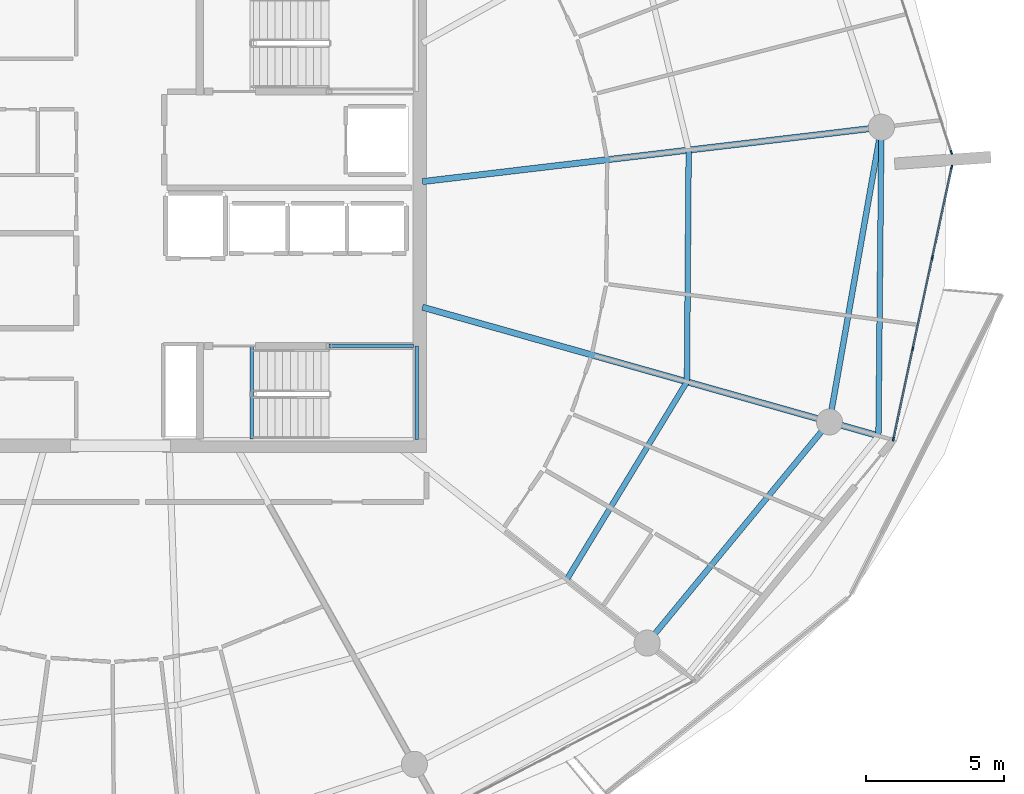
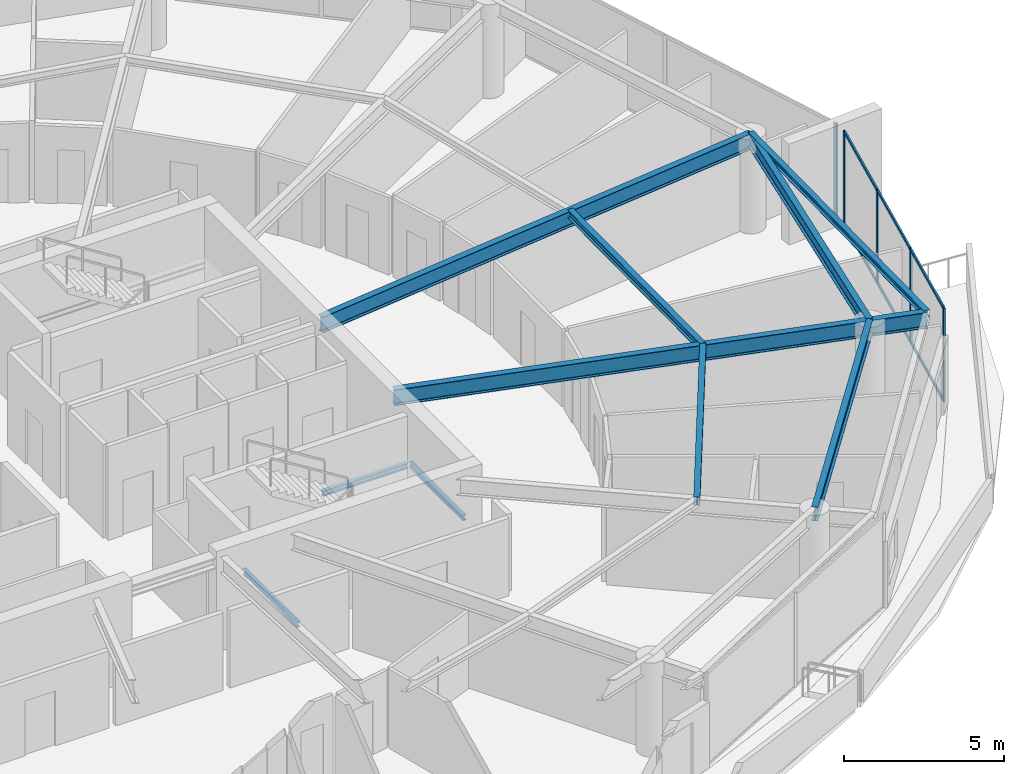
# One storey, part 11 of 30: 11 members, 10 beams, 2 elements without a shape of their own.
"""IFC4 building model written with IfcOpenShell, lengths in metres."""

import ifcopenshell
import ifcopenshell.guid

model = None  # the IFC model being written
_history = None  # IfcOwnerHistory: only IFC2X3 demands one
_inside = {}  # id of a spatial element -> (the spatial element, [elements in it])
_under = {}  # id of a project, library or spatial element -> (it, [spatial elements below it])
_declared = {}  # id of a project -> (the project, [libraries it declares])
_typed = {}  # id of a type object -> (the type object, [elements of that type])
_made_of = {}  # id of a material, layer set ... -> (it, [elements and type objects made of it])


def new_model(schema):
    """Start an empty IFC model of exactly this schema.

    Asked for "IFC4X3", IfcOpenShell would pick the latest addendum, in which some entities
    have other attributes; the version numbers below select the first issue.
    IFC2X3 requires an IfcOwnerHistory on every rooted entity: one is made here for all.
    """
    global model, _history
    if schema == "IFC4X3":
        model = ifcopenshell.file(schema_version=(4, 3, 0, 0))
    else:
        model = ifcopenshell.file(schema=schema)
    _inside.clear()
    _under.clear()
    _declared.clear()
    _typed.clear()
    _made_of.clear()
    _history = None
    if model.schema == "IFC2X3":
        org = make("IfcOrganization", Name="unknown")
        user = make(
            "IfcPersonAndOrganization",
            ThePerson=make("IfcPerson", FamilyName="unknown"),
            TheOrganization=org,
        )
        app = make(
            "IfcApplication",
            ApplicationDeveloper=org,
            Version="unknown",
            ApplicationFullName="unknown",
            ApplicationIdentifier="unknown",
        )
        _history = make(
            "IfcOwnerHistory",
            OwningUser=user,
            OwningApplication=app,
            ChangeAction="ADDED",
            CreationDate=0,
        )
    return model


def make(cls, **values):
    """One entity of the class cls with the attributes given. An attribute that is None is left unset."""
    return model.create_entity(
        cls, **{name: value for name, value in values.items() if value is not None}
    )


def rooted(cls, **values):
    """An entity with a GlobalId (a new one), such as an element, a storey or a relation."""
    return make(cls, GlobalId=ifcopenshell.guid.new(), OwnerHistory=_history, **values)


def si_unit(unit_type, name, prefix=None):
    """IfcSIUnit, for example si_unit("LENGTHUNIT", "METRE", prefix="MILLI")."""
    return make("IfcSIUnit", UnitType=unit_type, Prefix=prefix, Name=name)


def assignment(units):
    """IfcUnitAssignment: the units of a project."""
    return None if units is None else make("IfcUnitAssignment", Units=units)


def point(xyz):
    """IfcCartesianPoint."""
    return None if xyz is None else make("IfcCartesianPoint", Coordinates=xyz)


def direction(xyz):
    """IfcDirection."""
    return None if xyz is None else make("IfcDirection", DirectionRatios=xyz)


def frame(location, z_axis=None, x_axis=None):
    """IfcAxis2Placement3D, a coordinate frame: its origin and axes. An axis left out is left unset."""
    return make(
        "IfcAxis2Placement3D",
        Location=point(location),
        Axis=direction(z_axis),
        RefDirection=direction(x_axis),
    )


def frame_2d(location, x_axis=None):
    """IfcAxis2Placement2D, a coordinate frame in the plane: its origin and x axis."""
    return make(
        "IfcAxis2Placement2D", Location=point(location), RefDirection=direction(x_axis)
    )


def origin():
    """The frame at (0, 0, 0) with its axes left unset."""
    return frame((0.0, 0.0, 0.0))


def origin_2d():
    """The frame at (0, 0) in the plane with its x axis left unset."""
    return frame_2d((0.0, 0.0))


def place(relative_to, where):
    """IfcLocalPlacement: puts the frame where relative to a parent placement (None: the world)."""
    return make(
        "IfcLocalPlacement", PlacementRelTo=relative_to, RelativePlacement=where
    )


def context(
    kind, dimensions, precision=None, world=None, true_north=None, identifier=None
):
    """IfcGeometricRepresentationContext, for example the 3D "Model" context."""
    return make(
        "IfcGeometricRepresentationContext",
        ContextIdentifier=identifier,
        ContextType=kind,
        CoordinateSpaceDimension=dimensions,
        Precision=precision,
        WorldCoordinateSystem=world,
        TrueNorth=true_north,
    )


def subcontext(parent, identifier, kind, view, scale=None):
    """IfcGeometricRepresentationSubContext, for example "Body" below "Model"."""
    return make(
        "IfcGeometricRepresentationSubContext",
        ContextIdentifier=identifier,
        ContextType=kind,
        ParentContext=parent,
        TargetScale=scale,
        TargetView=view,
    )


def project(units=None, contexts=None):
    """IfcProject with its units and contexts."""
    return rooted(
        "IfcProject",
        Name="project",
        RepresentationContexts=contexts,
        UnitsInContext=assignment(units),
    )


def spatial(cls, under=None, at=None, **own):
    """A site, building, storey or space (cls), placed at a placement, below another one or the project."""
    s = rooted(cls, ObjectPlacement=at, **own)
    if under is not None:
        _under.setdefault(under.id(), (under, []))[1].append(s)
    return s


def profile(cls, at=None, kind="AREA", **sizes):
    """A parametric profile (cls). Its sizes go by their IFC names, for example OverallWidth=200.0."""
    return make(cls, ProfileType=kind, Position=at, **sizes)


def rectangle(**sizes):
    """IfcRectangleProfileDef."""
    return profile("IfcRectangleProfileDef", **sizes)


def i_section(**sizes):
    """IfcIShapeProfileDef."""
    return profile("IfcIShapeProfileDef", **sizes)


def extrude(swept, where, along, depth):
    """IfcExtrudedAreaSolid: the profile swept, set in the frame where, extruded along a direction by depth."""
    return make(
        "IfcExtrudedAreaSolid",
        SweptArea=swept,
        Position=where,
        ExtrudedDirection=direction(along),
        Depth=depth,
    )


def shape(context_of_items, identifier, shape_type, items):
    """IfcShapeRepresentation: the items that make up one representation, for example the "Body"."""
    return make(
        "IfcShapeRepresentation",
        ContextOfItems=context_of_items,
        RepresentationIdentifier=identifier,
        RepresentationType=shape_type,
        Items=items,
    )


def material(Name=None, Category=None):
    """IfcMaterial."""
    return make("IfcMaterial", Name=Name, Category=Category)


def layer(
    of_material, thickness, ventilated=None, Name=None, Category=None, Priority=None
):
    """IfcMaterialLayer: one layer of a wall or slab, of a material (None: an air gap)."""
    return make(
        "IfcMaterialLayer",
        Material=of_material,
        LayerThickness=thickness,
        IsVentilated=ventilated,
        Name=Name,
        Category=Category,
        Priority=Priority,
    )


def layer_set(layers, Name=None):
    """IfcMaterialLayerSet."""
    return make("IfcMaterialLayerSet", MaterialLayers=layers, LayerSetName=Name)


def material_profile(
    of_material, cross_section, Name=None, Category=None, Priority=None
):
    """IfcMaterialProfile: a cross section and its material."""
    return make(
        "IfcMaterialProfile",
        Name=Name,
        Material=of_material,
        Profile=cross_section,
        Priority=Priority,
        Category=Category,
    )


def profile_set(profiles, Name=None, composite=None):
    """IfcMaterialProfileSet."""
    return make(
        "IfcMaterialProfileSet",
        Name=Name,
        MaterialProfiles=profiles,
        CompositeProfile=composite,
    )


def made_of(thing, what):
    """Note that an element or type object is made of a material, layer set ...; save() writes the relation."""
    if what is not None:
        _made_of.setdefault(what.id(), (what, []))[1].append(thing)
    return thing


def type_object(cls, material=None, **own):
    """A type object (cls), such as IfcWallType, which elements share."""
    return made_of(rooted(cls, **own), material)


def element(
    cls,
    number,
    at=None,
    inside=None,
    cuts=None,
    type_object=None,
    material=None,
    context=None,
    identifier="Body",
    shape_type=None,
    held_by="IfcProductDefinitionShape",
    body=None,
    shapes=None,
    **own,
):
    """One element of the class cls, such as IfcWall. Its Tag is "e" and its number.

    at: its placement. inside: the storey or other place that contains it. cuts: it is an
    opening in that element (IfcRelVoidsElement). A single representation is given by context,
    identifier, shape_type and body (its items); several are given by shapes. held_by: the class
    of the entity that holds the representations. save() writes the other relations.
    """
    e = rooted(cls, Tag="e%d" % number, ObjectPlacement=at, **own)
    if body is not None:
        shapes = [shape(context, identifier, shape_type, body)]
    if shapes is not None:
        e.Representation = make(held_by, Representations=shapes)
    if inside is not None:
        _inside.setdefault(inside.id(), (inside, []))[1].append(e)
    if cuts is not None:
        rooted(
            "IfcRelVoidsElement", RelatingBuildingElement=cuts, RelatedOpeningElement=e
        )
    if type_object is not None:
        _typed.setdefault(type_object.id(), (type_object, []))[1].append(e)
    return made_of(e, material)


def aggregate(whole, parts):
    """IfcRelAggregates: a whole, such as a stair, and the parts it consists of."""
    return rooted("IfcRelAggregates", RelatingObject=whole, RelatedObjects=parts)


def save(model, path):
    """Write the relations noted so far, then the file.

    IfcRelAggregates (storeys below a building ...), IfcRelContainedInSpatialStructure (elements
    in a storey), IfcRelDefinesByType, IfcRelAssociatesMaterial and IfcRelDeclares: one each for
    every whole, place, type object, material and project.
    """
    for whole, parts in _under.values():
        aggregate(whole, parts)
    for where, things in _inside.values():
        rooted(
            "IfcRelContainedInSpatialStructure",
            RelatedElements=things,
            RelatingStructure=where,
        )
    for kind, things in _typed.values():
        rooted("IfcRelDefinesByType", RelatedObjects=things, RelatingType=kind)
    for what, things in _made_of.values():
        rooted("IfcRelAssociatesMaterial", RelatedObjects=things, RelatingMaterial=what)
    for by, libraries in _declared.values():
        rooted("IfcRelDeclares", RelatingContext=by, RelatedDefinitions=libraries)
    model.write(path)


model = new_model("IFC4")

# Units and contexts
model_context = context("Model", 3, precision=1e-05, world=origin(), true_north=direction((0.0, 1.0)))
body_context = subcontext(model_context, "Body", "Model", "MODEL_VIEW")
ifc_project = project(units=[si_unit("LENGTHUNIT", "METRE"), si_unit("AREAUNIT", "SQUARE_METRE"), si_unit("VOLUMEUNIT", "CUBIC_METRE"), si_unit("PLANEANGLEUNIT", "RADIAN"), si_unit("MASSUNIT", "GRAM", prefix="KILO")], contexts=[model_context])

# Site, building, storey
site_placement = place(None, origin())
site = spatial("IfcSite", under=ifc_project, at=site_placement, CompositionType="ELEMENT")
building_placement = place(site_placement, origin())
building = spatial("IfcBuilding", under=site, at=building_placement, Name="Kazma Halo Residences", CompositionType="ELEMENT")
storey_placement = place(building_placement, frame((0.0, 0.0, 298.300048828125)))
storey = spatial("IfcBuildingStorey", under=building, at=storey_placement, Name="L75", CompositionType="ELEMENT", Elevation=298.300048828125)

# Beams
ifc_material_1 = material(Name="Steel S355", Category="steel")
ifc_material_profile_1 = material_profile(ifc_material_1, i_section(OverallWidth=0.201904296875, OverallDepth=0.2470703125, WebThickness=0.00732421875, FlangeThickness=0.010986328125, FilletRadius=0.011962890625, at=origin_2d()), Name="W250x49.1")
ifc_profile_set_1 = profile_set([ifc_material_profile_1], Name="Steel S355")
beam_type_1 = type_object("IfcBeamType", Name="BM-BAL-CANT", PredefinedType="BEAM", material=ifc_profile_set_1)
beam_1_placement = place(storey_placement, frame((75.971435546875, 34.111083984375, 3.466552734375), z_axis=(0.009645503464, 0.999953481049, 0.0), x_axis=(-0.999953481049, 0.009645503464, 0.0)))
element("IfcBeam", 1, at=beam_1_placement, inside=storey, type_object=beam_type_1, Name="L75 wave-balcony tie beam 15", PredefinedType="BEAM", context=body_context, shape_type="SweptSolid", body=[
    extrude(i_section(OverallWidth=0.201904296875, OverallDepth=0.2470703125, WebThickness=0.00732421875, FlangeThickness=0.010986328125, FilletRadius=0.011962890625, at=origin_2d()), origin(), (0.0, 0.0, 1.0), 11.212890625),
])
ifc_material_profile_2 = material_profile(ifc_material_1, i_section(OverallWidth=0.22802734375, OverallDepth=0.60791015625, WebThickness=0.01123046875, FlangeThickness=0.017333984375, FilletRadius=0.01806640625, at=origin_2d()), Name="W610x113")
ifc_profile_set_2 = profile_set([ifc_material_profile_2], Name="Steel S355")
beam_type_2 = type_object("IfcBeamType", Name="BM-RAD-W610", PredefinedType="BEAM", material=ifc_profile_set_2)
beam_2_placement = place(storey_placement, frame((59.39990234375, 38.784912109375, 3.285888671875), z_axis=(0.962452620609, -0.271449724781, 0.0), x_axis=(0.271449724781, 0.962452620609, 0.0)))
element("IfcBeam", 2, at=beam_2_placement, inside=storey, type_object=beam_type_2, Name="L75 radial floor beam 15", PredefinedType="BEAM", context=body_context, shape_type="SweptSolid", body=[
    extrude(i_section(OverallWidth=0.22802734375, OverallDepth=0.60791015625, WebThickness=0.01123046875, FlangeThickness=0.017333984375, FilletRadius=0.01806640625, at=origin_2d()), origin(), (0.0, 0.0, 1.0), 17.218017578125),
])
beam_3_placement = place(storey_placement, frame((59.39990234375, 43.349365234375, 3.285888671875), z_axis=(0.993068804541, 0.117534460678, 0.0), x_axis=(-0.117534460678, 0.993068804541, 0.0)))
element("IfcBeam", 3, at=beam_3_placement, inside=storey, type_object=beam_type_2, Name="L75 radial floor beam 16", PredefinedType="BEAM", context=body_context, shape_type="SweptSolid", body=[
    extrude(i_section(OverallWidth=0.22802734375, OverallDepth=0.60791015625, WebThickness=0.01123046875, FlangeThickness=0.017333984375, FilletRadius=0.01806640625, at=origin_2d()), origin(), (0.0, 0.0, 1.0), 16.796142578125),
])
ifc_material_profile_3 = material_profile(ifc_material_1, i_section(OverallWidth=0.202880859375, OverallDepth=0.302978515625, WebThickness=0.007568359375, FlangeThickness=0.01318359375, FilletRadius=0.013916015625, at=origin_2d()), Name="W310x60")
ifc_profile_set_3 = profile_set([ifc_material_profile_3], Name="Steel S355")
beam_type_3 = type_object("IfcBeamType", Name="BM-SEC-W310A", PredefinedType="JOIST", material=ifc_profile_set_3)
beam_4_placement = place(storey_placement, frame((64.6396484375, 28.88232421875, 3.4384765625), z_axis=(0.519439801751, 0.854507046406, 0.0), x_axis=(-0.854507046406, 0.519439801751, 0.0)))
element("IfcBeam", 4, at=beam_4_placement, inside=storey, type_object=beam_type_3, Name="L75 circumferential floor joist 14", PredefinedType="JOIST", context=body_context, shape_type="SweptSolid", body=[
    extrude(i_section(OverallWidth=0.202880859375, OverallDepth=0.302978515625, WebThickness=0.007568359375, FlangeThickness=0.01318359375, FilletRadius=0.013916015625, at=origin_2d()), origin(), (0.0, 0.0, 1.0), 8.41650390625),
])
beam_5_placement = place(storey_placement, frame((69.011474609375, 36.07421875, 3.4384765625), z_axis=(0.007451444375, 0.999972237603, 0.0), x_axis=(-0.999972237603, 0.007451444375, 0.0)))
element("IfcBeam", 5, at=beam_5_placement, inside=storey, type_object=beam_type_3, Name="L75 circumferential floor joist 15", PredefinedType="JOIST", context=body_context, shape_type="SweptSolid", body=[
    extrude(i_section(OverallWidth=0.202880859375, OverallDepth=0.302978515625, WebThickness=0.007568359375, FlangeThickness=0.01318359375, FilletRadius=0.013916015625, at=origin_2d()), origin(), (0.0, 0.0, 1.0), 8.42041015625),
])
ifc_material_profile_4 = material_profile(ifc_material_1, i_section(OverallWidth=0.208984375, OverallDepth=0.532958984375, WebThickness=0.01025390625, FlangeThickness=0.015625, FilletRadius=0.01611328125, at=origin_2d()), Name="W530x92")
ifc_profile_set_4 = profile_set([ifc_material_profile_4], Name="Steel S355")
beam_type_4 = type_object("IfcBeamType", Name="BM-SPN-W530", PredefinedType="BEAM", material=ifc_profile_set_4)
beam_6_placement = place(storey_placement, frame((67.566162109375, 26.5751953125, 3.323486328125), z_axis=(0.636002144225, 0.771687289348, 0.0), x_axis=(-0.771687289348, 0.636002144225, 0.0)))
element("IfcBeam", 6, at=beam_6_placement, inside=storey, type_object=beam_type_4, Name="L75 perimeter ring beam 14", PredefinedType="BEAM", context=body_context, shape_type="SweptSolid", body=[
    extrude(i_section(OverallWidth=0.208984375, OverallDepth=0.532958984375, WebThickness=0.01025390625, FlangeThickness=0.015625, FilletRadius=0.01611328125, at=origin_2d()), origin(), (0.0, 0.0, 1.0), 10.416259765625),
])
beam_7_placement = place(storey_placement, frame((74.19091796875, 34.61328125, 3.323486328125), z_axis=(0.173663672311, 0.984805020763, 0.0), x_axis=(-0.984805020763, 0.173663672311, 0.0)))
element("IfcBeam", 7, at=beam_7_placement, inside=storey, type_object=beam_type_4, Name="L75 perimeter ring beam 15", PredefinedType="BEAM", context=body_context, shape_type="SweptSolid", body=[
    extrude(i_section(OverallWidth=0.208984375, OverallDepth=0.532958984375, WebThickness=0.01025390625, FlangeThickness=0.015625, FilletRadius=0.01611328125, at=origin_2d()), origin(), (0.0, 0.0, 1.0), 10.87548828125),
])
ifc_material_profile_5 = material_profile(ifc_material_1, i_section(OverallWidth=0.133056640625, OverallDepth=0.20703125, WebThickness=0.005859375, FlangeThickness=0.00830078125, FilletRadius=0.010009765625, at=origin_2d()), Name="W200x26.6")
ifc_profile_set_5 = profile_set([ifc_material_profile_5], Name="Steel S355")
beam_type_5 = type_object("IfcBeamType", Name="BM-TRIM-W200", PredefinedType="BEAM", material=ifc_profile_set_5)
beam_8_placement = place(storey_placement, frame((53.199951171875, 34.0, -0.3701171875), z_axis=(0.0, 1.0, 0.0), x_axis=(-1.0, 0.0, 0.0)))
element("IfcBeam", 8, at=beam_8_placement, inside=storey, type_object=beam_type_5, Name="L75 ST-03 floor landing support beam", PredefinedType="BEAM", context=body_context, shape_type="SweptSolid", body=[
    extrude(i_section(OverallWidth=0.133056640625, OverallDepth=0.20703125, WebThickness=0.005859375, FlangeThickness=0.00830078125, FilletRadius=0.010009765625, at=origin_2d()), origin(), (0.0, 0.0, 1.0), 3.3798828125),
])
beam_9_placement = place(storey_placement, frame((56.0, 37.3798828125, 1.619873046875), z_axis=(1.0, 0.0, 0.0), x_axis=(0.0, 1.0, 0.0)))
element("IfcBeam", 9, at=beam_9_placement, inside=storey, type_object=beam_type_5, Name="L75 ST-03 landing north wall ledger", PredefinedType="BEAM", context=body_context, shape_type="SweptSolid", body=[
    extrude(i_section(OverallWidth=0.133056640625, OverallDepth=0.20703125, WebThickness=0.005859375, FlangeThickness=0.00830078125, FilletRadius=0.010009765625, at=origin_2d()), origin(), (0.0, 0.0, 1.0), 3.070068359375),
])
beam_10_placement = place(storey_placement, frame((59.18994140625, 33.97998046875, 1.619873046875), z_axis=(0.0, 1.0, 0.0), x_axis=(-1.0, 0.0, 0.0)))
element("IfcBeam", 10, at=beam_10_placement, inside=storey, type_object=beam_type_5, Name="L75 ST-03 landing end wall ledger", PredefinedType="BEAM", context=body_context, shape_type="SweptSolid", body=[
    extrude(i_section(OverallWidth=0.133056640625, OverallDepth=0.20703125, WebThickness=0.005859375, FlangeThickness=0.00830078125, FilletRadius=0.010009765625, at=origin_2d()), origin(), (0.0, 0.0, 1.0), 3.39990234375),
])

# Curtain wall, members
ifc_material_2 = material(Name="Aluminium AW-6063 T6 and Triple-Silver Low-E Glass", Category="aluminium")
ifc_layer = layer(ifc_material_2, 0.139892578125)
ifc_layer_set = layer_set([ifc_layer], Name="Aluminium AW-6063 T6 and Triple-Silver Low-E Glass")
curtain_wall_type = type_object("IfcCurtainWallType", Name="CW-SYS-5", PredefinedType="NOTDEFINED", material=ifc_layer_set)
curtain_wall_1_placement = place(storey_placement, origin())
curtain_wall_1 = element("IfcCurtainWall", 11, at=curtain_wall_1_placement, inside=storey, type_object=curtain_wall_type, Name="L75 unitised curtain wall B15", PredefinedType="NOTDEFINED")
ifc_material_3 = material(Name="Aluminium AW-6063 T6", Category="aluminium")
ifc_material_profile_6 = material_profile(ifc_material_3, rectangle(XDim=0.06005859375, YDim=0.139892578125, at=origin_2d()), Name="CWM-60x140")
ifc_profile_set_6 = profile_set([ifc_material_profile_6], Name="Aluminium AW-6063 T6")
member_type_1 = type_object("IfcMemberType", Name="CW-SYS-5-MUL", PredefinedType="MULLION", material=ifc_profile_set_6)
member_1_placement = place(storey_placement, frame((76.514892578125, 33.989013671875, 0.0), z_axis=(0.0, 0.0, 1.0), x_axis=(-0.97777491373, 0.209657382603, 0.0)))
member_1 = element("IfcMember", 12, at=member_1_placement, type_object=member_type_1, Name="CWS-5 mullion 1", PredefinedType="MULLION", context=body_context, shape_type="SweptSolid", body=[
    extrude(rectangle(XDim=0.06005859375, YDim=0.139892578125, at=origin_2d()), origin(), (0.0, 0.0, 1.0), 3.58984375),
])
member_2_placement = place(storey_placement, frame((77.218994140625, 37.2734375, 0.0), z_axis=(0.0, 0.0, 1.0), x_axis=(-0.97777491373, 0.209657382603, 0.0)))
member_2 = element("IfcMember", 13, at=member_2_placement, type_object=member_type_1, Name="CWS-5 mullion 2", PredefinedType="MULLION", context=body_context, shape_type="SweptSolid", body=[
    extrude(rectangle(XDim=0.06005859375, YDim=0.139892578125, at=origin_2d()), origin(), (0.0, 0.0, 1.0), 3.58984375),
])
member_3_placement = place(storey_placement, frame((77.9296875, 40.587158203125, 0.0), z_axis=(0.0, 0.0, 1.0), x_axis=(-0.97777491373, 0.209657382603, 0.0)))
member_3 = element("IfcMember", 14, at=member_3_placement, type_object=member_type_1, Name="CWS-5 mullion 3", PredefinedType="MULLION", context=body_context, shape_type="SweptSolid", body=[
    extrude(rectangle(XDim=0.06005859375, YDim=0.139892578125, at=origin_2d()), origin(), (0.0, 0.0, 1.0), 3.58984375),
])
member_4_placement = place(storey_placement, frame((78.6337890625, 43.87158203125, 0.0), z_axis=(0.0, 0.0, 1.0), x_axis=(-0.97777491373, 0.209657382603, 0.0)))
member_4 = element("IfcMember", 15, at=member_4_placement, type_object=member_type_1, Name="CWS-5 mullion 4", PredefinedType="MULLION", context=body_context, shape_type="SweptSolid", body=[
    extrude(rectangle(XDim=0.06005859375, YDim=0.139892578125, at=origin_2d()), origin(), (0.0, 0.0, 1.0), 3.58984375),
])

# Curtain wall, member
curtain_wall_2_placement = place(storey_placement, origin())
curtain_wall_2 = element("IfcCurtainWall", 16, at=curtain_wall_2_placement, inside=storey, type_object=curtain_wall_type, Name="L75 unitised curtain wall B16", PredefinedType="NOTDEFINED")
member_5_placement = place(storey_placement, frame((78.622802734375, 44.412353515625, 0.0), z_axis=(0.0, 0.0, 1.0), x_axis=(-0.951058464359, -0.309010998786, 0.0)))
member_5 = element("IfcMember", 17, at=member_5_placement, type_object=member_type_1, Name="CWS-5 mullion 1", PredefinedType="MULLION", context=body_context, shape_type="SweptSolid", body=[
    extrude(rectangle(XDim=0.06005859375, YDim=0.139892578125, at=origin_2d()), origin(), (0.0, 0.0, 1.0), 3.58984375),
])
aggregate(curtain_wall_2, [member_5])

# Member
ifc_material_profile_7 = material_profile(ifc_material_3, rectangle(XDim=0.06005859375, YDim=0.10498046875, at=origin_2d()), Name="CWT-60x105")
ifc_profile_set_7 = profile_set([ifc_material_profile_7], Name="Aluminium AW-6063 T6")
member_type_2 = type_object("IfcMemberType", Name="CW-SYS-5-TRN", PredefinedType="USERDEFINED", material=ifc_profile_set_7)
member_6_placement = place(storey_placement, frame((76.52099609375, 34.0185546875, 0.030029296875), z_axis=(0.209660493552, 0.977774246666, 0.0), x_axis=(-0.977774246666, 0.209660493552, 0.0)))
member_6 = element("IfcMember", 18, at=member_6_placement, type_object=member_type_2, Name="CWS-5 transom 1.1", ObjectType="TRANSOM", PredefinedType="USERDEFINED", context=body_context, shape_type="SweptSolid", body=[
    extrude(rectangle(XDim=0.06005859375, YDim=0.10498046875, at=origin_2d()), origin(), (0.0, 0.0, 1.0), 3.298828125),
])

member_7_placement = place(storey_placement, frame((76.52099609375, 34.0185546875, 3.56005859375), z_axis=(0.209660493552, 0.977774246666, 0.0), x_axis=(-0.977774246666, 0.209660493552, 0.0)))
member_7 = element("IfcMember", 19, at=member_7_placement, type_object=member_type_2, Name="CWS-5 transom 1.2", ObjectType="TRANSOM", PredefinedType="USERDEFINED", context=body_context, shape_type="SweptSolid", body=[
    extrude(rectangle(XDim=0.06005859375, YDim=0.10498046875, at=origin_2d()), origin(), (0.0, 0.0, 1.0), 3.298828125),
])

member_8_placement = place(storey_placement, frame((77.225341796875, 37.302734375, 0.030029296875), z_axis=(0.209664309019, 0.977773428522, 0.0), x_axis=(-0.977773428522, 0.209664309019, 0.0)))
member_8 = element("IfcMember", 20, at=member_8_placement, type_object=member_type_2, Name="CWS-5 transom 2.1", ObjectType="TRANSOM", PredefinedType="USERDEFINED", context=body_context, shape_type="SweptSolid", body=[
    extrude(rectangle(XDim=0.06005859375, YDim=0.10498046875, at=origin_2d()), origin(), (0.0, 0.0, 1.0), 3.3291015625),
])

member_9_placement = place(storey_placement, frame((77.225341796875, 37.302734375, 3.56005859375), z_axis=(0.209664309019, 0.977773428522, 0.0), x_axis=(-0.977773428522, 0.209664309019, 0.0)))
member_9 = element("IfcMember", 21, at=member_9_placement, type_object=member_type_2, Name="CWS-5 transom 2.2", ObjectType="TRANSOM", PredefinedType="USERDEFINED", context=body_context, shape_type="SweptSolid", body=[
    extrude(rectangle(XDim=0.06005859375, YDim=0.10498046875, at=origin_2d()), origin(), (0.0, 0.0, 1.0), 3.3291015625),
])

member_10_placement = place(storey_placement, frame((77.935791015625, 40.616455078125, 0.030029296875), z_axis=(0.209645323239, 0.977777499457, 0.0), x_axis=(-0.977777499457, 0.209645323239, 0.0)))
member_10 = element("IfcMember", 22, at=member_10_placement, type_object=member_type_2, Name="CWS-5 transom 3.1", ObjectType="TRANSOM", PredefinedType="USERDEFINED", context=body_context, shape_type="SweptSolid", body=[
    extrude(rectangle(XDim=0.06005859375, YDim=0.10498046875, at=origin_2d()), origin(), (0.0, 0.0, 1.0), 3.299072265625),
])

member_11_placement = place(storey_placement, frame((77.935791015625, 40.616455078125, 3.56005859375), z_axis=(0.209645323239, 0.977777499457, 0.0), x_axis=(-0.977777499457, 0.209645323239, 0.0)))
member_11 = element("IfcMember", 23, at=member_11_placement, type_object=member_type_2, Name="CWS-5 transom 3.2", ObjectType="TRANSOM", PredefinedType="USERDEFINED", context=body_context, shape_type="SweptSolid", body=[
    extrude(rectangle(XDim=0.06005859375, YDim=0.10498046875, at=origin_2d()), origin(), (0.0, 0.0, 1.0), 3.299072265625),
])

aggregate(curtain_wall_1, [member_1, member_2, member_3, member_4, member_6, member_7, member_8, member_9, member_10, member_11])

save(model, "model.ifc")
